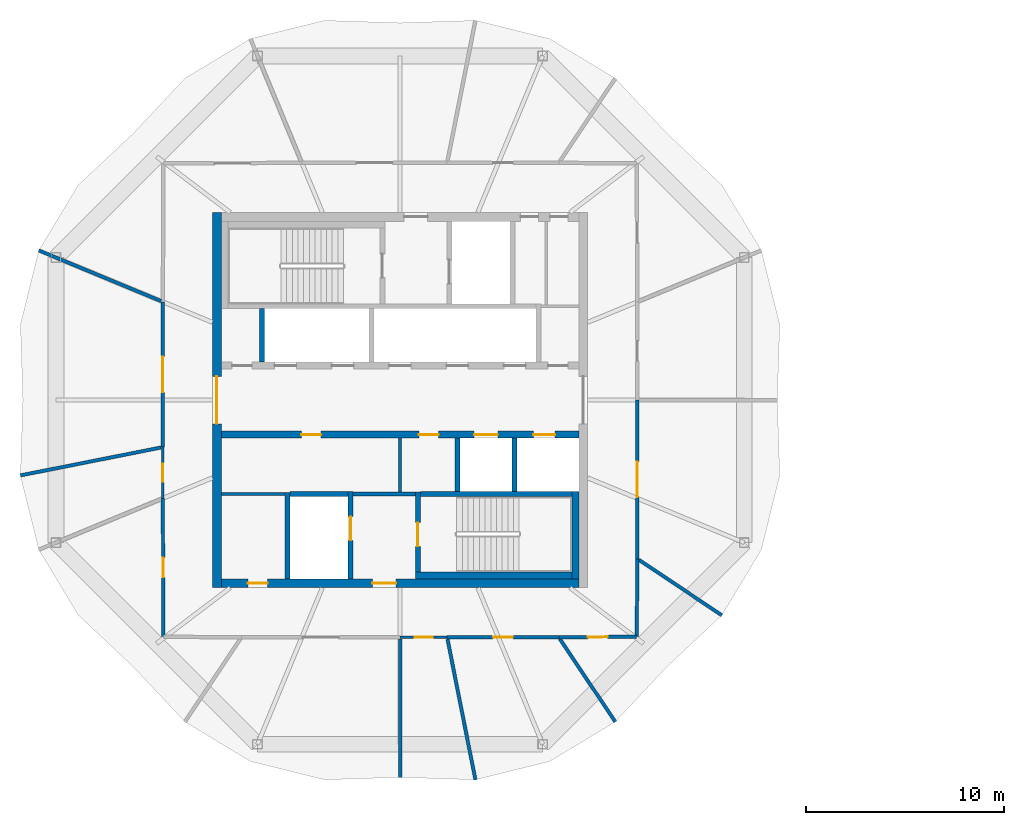
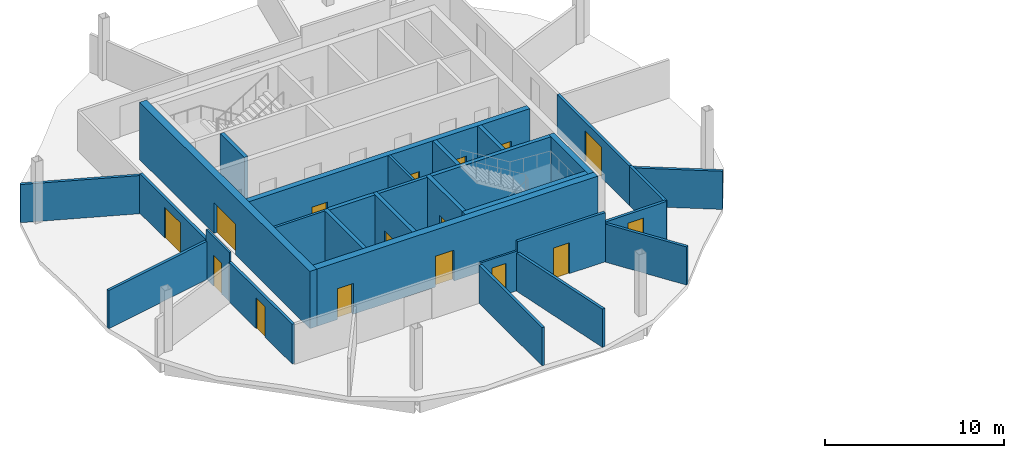
# One storey, part 5 of 10: 30 walls, 16 doors, 16 openings.
"""IFC4 building model written with IfcOpenShell, lengths in metres."""

from ifc_helpers import new_model, si_unit, direction, frame, frame_2d, origin, place, context, subcontext, project, spatial, rectangle, extrude, material, layer, layer_set, type_object, element, fill, save


model = new_model("IFC4")

# Units and contexts
model_context = context("Model", 3, precision=1e-05, world=origin(), true_north=direction((0.0, 1.0)))
body_context = subcontext(model_context, "Body", "Model", "MODEL_VIEW")
ifc_project = project(units=[si_unit("LENGTHUNIT", "METRE"), si_unit("AREAUNIT", "SQUARE_METRE"), si_unit("VOLUMEUNIT", "CUBIC_METRE"), si_unit("PLANEANGLEUNIT", "RADIAN"), si_unit("MASSUNIT", "GRAM", prefix="KILO")], contexts=[model_context])

# Site, building, storey
site_placement = place(None, origin())
site = spatial("IfcSite", under=ifc_project, at=site_placement, CompositionType="ELEMENT")
building_placement = place(site_placement, origin())
building = spatial("IfcBuilding", under=site, at=building_placement, Name="Ogive Gate Towers", CompositionType="ELEMENT")
storey_placement = place(building_placement, frame((0.0, 0.0, 260.39990234375)))
storey = spatial("IfcBuildingStorey", under=building, at=storey_placement, Name="L61", CompositionType="ELEMENT", Elevation=260.39990234375)

# Walls
ifc_material_1 = material(Name="Gypsum board acoustic partition")
ifc_layer_1 = layer(ifc_material_1, 0.175048828125)
ifc_layer_set_1 = layer_set([ifc_layer_1], Name="Acoustic partition 175")
wall_type_1 = type_object("IfcWallType", Name="Acoustic partition 175", PredefinedType="PARTITIONING", material=ifc_layer_set_1)
wall_1_placement = place(storey_placement, frame((-54.29296875, 7.5771484375, 0.0), z_axis=(0.0, 0.0, 1.0), x_axis=(0.923882053966, -0.382677344977, 0.0)))
element("IfcWall", 1, at=wall_1_placement, inside=storey, type_object=wall_type_1, Name="Partition T1-L61-006", PredefinedType="PARTITIONING", context=body_context, shape_type="SweptSolid", body=[
    extrude(rectangle(XDim=6.711669921875, YDim=0.175048828125, at=frame_2d((3.35595703125, 0.0))), origin(), (0.0, 0.0, 1.0), 2.60009765625),
])
wall_2_placement = place(storey_placement, frame((-55.224609375, -3.814697265625, 0.0), z_axis=(0.0, 0.0, 1.0), x_axis=(0.980875686276, 0.194635269344, 0.0)))
element("IfcWall", 2, at=wall_2_placement, inside=storey, type_object=wall_type_1, Name="Partition T1-L61-007", PredefinedType="PARTITIONING", context=body_context, shape_type="SweptSolid", body=[
    extrude(rectangle(XDim=7.261474609375, YDim=0.175048828125, at=frame_2d((3.630859375, 0.0))), origin(), (0.0, 0.0, 1.0), 2.60009765625),
])
wall_3_placement = place(storey_placement, frame((-36.0, -19.09912109375, 0.0), z_axis=(0.0, 0.0, 1.0), x_axis=(0.0, 1.0, 0.0)))
element("IfcWall", 3, at=wall_3_placement, inside=storey, type_object=wall_type_1, Name="Partition T1-L61-010", PredefinedType="PARTITIONING", context=body_context, shape_type="SweptSolid", body=[
    extrude(rectangle(XDim=7.011474609375, YDim=0.175048828125, at=frame_2d((3.505859375, 0.0))), origin(), (0.0, 0.0, 1.0), 2.60009765625),
])
wall_4_placement = place(storey_placement, frame((-32.185302734375, -19.224609375, 0.0), z_axis=(0.0, 0.0, 1.0), x_axis=(-0.194635269344, 0.980875686276, 0.0)))
element("IfcWall", 4, at=wall_4_placement, inside=storey, type_object=wall_type_1, Name="Partition T1-L61-011", PredefinedType="PARTITIONING", context=body_context, shape_type="SweptSolid", body=[
    extrude(rectangle(XDim=7.261474609375, YDim=0.175048828125, at=frame_2d((3.630859375, 0.0))), origin(), (0.0, 0.0, 1.0), 2.60009765625),
])
for number, where, z_axis, x_axis, name in (
    (5, (-25.103515625, -16.291259765625, 0.0), (0.0, 0.0, 1.0), (-0.555968529854, 0.831203340833, 0.0), "Partition T1-L61-012"),
    (6, (-19.708740234375, -10.896484375, 0.0), (0.0, 0.0, 1.0), (-0.831203340833, 0.555968529854, 0.0), "Partition T1-L61-013"),
):
    element("IfcWall", number, at=place(storey_placement, frame(where, z_axis=z_axis, x_axis=x_axis)), inside=storey, type_object=wall_type_1, Name=name, PredefinedType="PARTITIONING", context=body_context, shape_type="SweptSolid", body=[
        extrude(rectangle(XDim=5.061279296875, YDim=0.175048828125, at=frame_2d((2.53076171875, 0.0))), origin(), (0.0, 0.0, 1.0), 2.60009765625),
    ])

# Wall, opening, door
wall_5_placement = place(storey_placement, frame((-33.615478515625, -12.016357421875, 0.0), z_axis=(0.0, 0.0, 1.0), x_axis=(0.999999626489, 0.000864303912, 0.0)))
wall_5 = element("IfcWall", 7, at=wall_5_placement, inside=storey, type_object=wall_type_1, Name="Partition T1-L61-015", PredefinedType="PARTITIONING", context=body_context, shape_type="SweptSolid", body=[
    extrude(rectangle(XDim=5.6494140625, YDim=0.175048828125, at=frame_2d((2.82470703125, 0.0))), origin(), (0.0, 0.0, 1.0), 3.35009765625),
])
opening_1_placement = place(wall_5_placement, frame((2.324951171875, 0.0, 0.0)))
opening_1 = element("IfcOpeningElement", 8, at=opening_1_placement, cuts=wall_5, Name="Opening T1-L61-D02", PredefinedType="OPENING", context=body_context, shape_type="SweptSolid", body=[
    extrude(rectangle(XDim=1.0, YDim=2.10009765625, at=frame_2d((0.5, 1.050048828125))), frame((0.0, 0.09765625, 0.0), z_axis=(0.0, -1.0, 0.0), x_axis=(1.0, 0.0, 0.0)), (0.0, 0.0, 1.0), 0.195068359375),
])
ifc_material_2 = material(Name="Timber door", Category="wood")
door_type_1 = type_object("IfcDoorType", Name="Door 1000", OperationType="NOTDEFINED", PredefinedType="DOOR", material=ifc_material_2)
door_1_placement = place(opening_1_placement, origin())
door_1 = element("IfcDoor", 9, at=door_1_placement, inside=storey, type_object=door_type_1, Name="Door T1-L61-D02", OperationType="SINGLE_SWING_LEFT", OverallHeight=2.10009765625, OverallWidth=1.0, PredefinedType="DOOR", context=body_context, shape_type="SweptSolid", body=[
    extrude(rectangle(XDim=1.0, YDim=2.10009765625, at=frame_2d((0.5, 1.050048828125))), frame((0.0, 0.02490234375, 0.0), z_axis=(0.0, -1.0, 0.0), x_axis=(1.0, 0.0, 0.0)), (0.0, 0.0, 1.0), 0.050048828125),
])
fill(opening_1, door_1)

wall_6_placement = place(storey_placement, frame((-27.966064453125, -12.011474609375, 0.0), z_axis=(0.0, 0.0, 1.0), x_axis=(0.999968151812, 0.007980937424, 0.0)))
wall_6 = element("IfcWall", 10, at=wall_6_placement, inside=storey, type_object=wall_type_1, Name="Partition T1-L61-016", PredefinedType="PARTITIONING", context=body_context, shape_type="SweptSolid", body=[
    extrude(rectangle(XDim=3.9462890625, YDim=0.175048828125, at=frame_2d((1.97314453125, 0.0))), origin(), (0.0, 0.0, 1.0), 2.7001953125),
])
opening_2_placement = place(wall_6_placement, frame((1.472900390625, 0.0, 0.0)))
opening_2 = element("IfcOpeningElement", 11, at=opening_2_placement, cuts=wall_6, Name="Opening T1-L61-D03", PredefinedType="OPENING", context=body_context, shape_type="SweptSolid", body=[
    extrude(rectangle(XDim=1.0, YDim=2.10009765625, at=frame_2d((0.5, 1.050048828125))), frame((0.0, 0.09765625, 0.0), z_axis=(0.0, -1.0, 0.0), x_axis=(1.0, 0.0, 0.0)), (0.0, 0.0, 1.0), 0.195068359375),
])
door_2_placement = place(opening_2_placement, origin())
door_2 = element("IfcDoor", 12, at=door_2_placement, inside=storey, type_object=door_type_1, Name="Door T1-L61-D03", OperationType="SINGLE_SWING_RIGHT", OverallHeight=2.10009765625, OverallWidth=1.0, PredefinedType="DOOR", context=body_context, shape_type="SweptSolid", body=[
    extrude(rectangle(XDim=1.0, YDim=2.10009765625, at=frame_2d((0.5, 1.050048828125))), frame((0.0, 0.02490234375, 0.0), z_axis=(0.0, -1.0, 0.0), x_axis=(1.0, 0.0, 0.0)), (0.0, 0.0, 1.0), 0.050048828125),
])
fill(opening_2, door_2)

# Wall
wall_7_placement = place(storey_placement, frame((-24.02001953125, -11.97998046875, 0.0), z_axis=(0.0, 0.0, 1.0), x_axis=(0.007980937424, 0.999968151812, 0.0)))
element("IfcWall", 13, at=wall_7_placement, inside=storey, type_object=wall_type_1, Name="Partition T1-L61-017", PredefinedType="PARTITIONING", context=body_context, shape_type="SweptSolid", body=[
    extrude(rectangle(XDim=3.9462890625, YDim=0.175048828125, at=frame_2d((1.97314453125, 0.0))), origin(), (0.0, 0.0, 1.0), 2.7001953125),
])

# Wall, opening, door
wall_8_placement = place(storey_placement, frame((-23.988525390625, -8.033935546875, 0.0), z_axis=(0.0, 0.0, 1.0), x_axis=(-0.001428266085, 0.999998980027, 0.0)))
wall_8 = element("IfcWall", 14, at=wall_8_placement, inside=storey, type_object=wall_type_1, Name="Partition T1-L61-018", PredefinedType="PARTITIONING", context=body_context, shape_type="SweptSolid", body=[
    extrude(rectangle(XDim=8.033935546875, YDim=0.175048828125, at=frame_2d((4.01708984375, 0.0))), origin(), (0.0, 0.0, 1.0), 2.7001953125),
])
opening_3_placement = place(wall_8_placement, frame((3.116943359375, 0.0, 0.0)))
opening_3 = element("IfcOpeningElement", 15, at=opening_3_placement, cuts=wall_8, Name="Opening T1-L61-D04", PredefinedType="OPENING", context=body_context, shape_type="SweptSolid", body=[
    extrude(rectangle(XDim=1.800048828125, YDim=2.10009765625, at=frame_2d((0.89990234375, 1.050048828125))), frame((0.0, 0.09765625, 0.0), z_axis=(0.0, -1.0, 0.0), x_axis=(1.0, 0.0, 0.0)), (0.0, 0.0, 1.0), 0.195068359375),
])
door_type_2 = type_object("IfcDoorType", Name="Door pair 1800", OperationType="NOTDEFINED", PredefinedType="DOOR", material=ifc_material_2)
door_3_placement = place(opening_3_placement, origin())
door_3 = element("IfcDoor", 16, at=door_3_placement, inside=storey, type_object=door_type_2, Name="Door T1-L61-D04", OperationType="DOUBLE_DOOR_DOUBLE_SWING", OverallHeight=2.10009765625, OverallWidth=1.800048828125, PredefinedType="DOOR", context=body_context, shape_type="SweptSolid", body=[
    extrude(rectangle(XDim=1.800048828125, YDim=2.10009765625, at=frame_2d((0.89990234375, 1.050048828125))), frame((0.0, 0.02490234375, 0.0), z_axis=(0.0, -1.0, 0.0), x_axis=(1.0, 0.0, 0.0)), (0.0, 0.0, 1.0), 0.050048828125),
])
fill(opening_3, door_3)

wall_9_placement = place(storey_placement, frame((-48.011474609375, 4.975341796875, 0.0), z_axis=(0.0, 0.0, 1.0), x_axis=(-0.000663437789, -0.999999779925, 0.0)))
wall_9 = element("IfcWall", 17, at=wall_9_placement, inside=storey, type_object=wall_type_1, Name="Partition T1-L61-026", PredefinedType="PARTITIONING", context=body_context, shape_type="SweptSolid", body=[
    extrude(rectangle(XDim=7.35986328125, YDim=0.175048828125, at=frame_2d((3.679931640625, 0.0))), origin(), (0.0, 0.0, 1.0), 2.7001953125),
])
opening_4_placement = place(wall_9_placement, frame((2.780029296875, 0.0, 0.0)))
opening_4 = element("IfcOpeningElement", 18, at=opening_4_placement, cuts=wall_9, Name="Opening T1-L61-D10", PredefinedType="OPENING", context=body_context, shape_type="SweptSolid", body=[
    extrude(rectangle(XDim=1.800048828125, YDim=2.10009765625, at=frame_2d((0.89990234375, 1.050048828125))), frame((0.0, 0.09765625, 0.0), z_axis=(0.0, -1.0, 0.0), x_axis=(1.0, 0.0, 0.0)), (0.0, 0.0, 1.0), 0.195068359375),
])
door_4_placement = place(opening_4_placement, origin())
door_4 = element("IfcDoor", 19, at=door_4_placement, inside=storey, type_object=door_type_2, Name="Door T1-L61-D10", OperationType="DOUBLE_DOOR_DOUBLE_SWING", OverallHeight=2.10009765625, OverallWidth=1.800048828125, PredefinedType="DOOR", context=body_context, shape_type="SweptSolid", body=[
    extrude(rectangle(XDim=1.800048828125, YDim=2.10009765625, at=frame_2d((0.89990234375, 1.050048828125))), frame((0.0, 0.02490234375, 0.0), z_axis=(0.0, -1.0, 0.0), x_axis=(1.0, 0.0, 0.0)), (0.0, 0.0, 1.0), 0.050048828125),
])
fill(opening_4, door_4)

wall_10_placement = place(storey_placement, frame((-48.011474609375, -4.975341796875, 0.0), z_axis=(0.0, 0.0, 1.0), x_axis=(0.004496138026, -0.99998989232, 0.0)))
wall_10 = element("IfcWall", 20, at=wall_10_placement, inside=storey, type_object=wall_type_1, Name="Partition T1-L61-028", PredefinedType="PARTITIONING", context=body_context, shape_type="SweptSolid", body=[
    extrude(rectangle(XDim=7.004638671875, YDim=0.175048828125, at=frame_2d((3.50244140625, 0.0))), origin(), (0.0, 0.0, 1.0), 2.7001953125),
])
opening_5_placement = place(wall_10_placement, frame((3.001953125, 0.0, 0.0)))
opening_5 = element("IfcOpeningElement", 21, at=opening_5_placement, cuts=wall_10, Name="Opening T1-L61-D12", PredefinedType="OPENING", context=body_context, shape_type="SweptSolid", body=[
    extrude(rectangle(XDim=1.0, YDim=2.10009765625, at=frame_2d((0.5, 1.050048828125))), frame((0.0, 0.09765625, 0.0), z_axis=(0.0, -1.0, 0.0), x_axis=(1.0, 0.0, 0.0)), (0.0, 0.0, 1.0), 0.195068359375),
])
door_5_placement = place(opening_5_placement, origin())
door_5 = element("IfcDoor", 22, at=door_5_placement, inside=storey, type_object=door_type_1, Name="Door T1-L61-D12", OperationType="SINGLE_SWING_RIGHT", OverallHeight=2.10009765625, OverallWidth=1.0, PredefinedType="DOOR", context=body_context, shape_type="SweptSolid", body=[
    extrude(rectangle(XDim=1.0, YDim=2.10009765625, at=frame_2d((0.5, 1.050048828125))), frame((0.0, 0.02490234375, 0.0), z_axis=(0.0, -1.0, 0.0), x_axis=(1.0, 0.0, 0.0)), (0.0, 0.0, 1.0), 0.050048828125),
])
fill(opening_5, door_5)

# Wall
ifc_material_3 = material(Name="Masonry blockwork", Category="masonry")
ifc_layer_2 = layer(ifc_material_3, 0.199951171875)
ifc_layer_set_2 = layer_set([ifc_layer_2], Name="Blockwork wall 200 mm")
wall_type_2 = type_object("IfcWallType", Name="Blockwork wall 200 mm", PredefinedType="PARTITIONING", material=ifc_layer_set_2)
wall_11_placement = place(storey_placement, frame((-38.375, -4.75, 0.0), z_axis=(0.0, 0.0, 1.0), x_axis=(1.0, 0.0, 0.0)))
element("IfcWall", 23, at=wall_11_placement, inside=storey, type_object=wall_type_2, Name="T1 L61 Blockwork wall 200 mm", PredefinedType="PARTITIONING", context=body_context, shape_type="SweptSolid", body=[
    extrude(rectangle(XDim=3.14990234375, YDim=0.199951171875, at=frame_2d((1.574951171875, 0.0))), origin(), (0.0, 0.0, 1.0), 3.900146484375),
])

# Wall, openings, doors
ifc_material_4 = material(Name="Concrete C60/75", Category="concrete")
ifc_layer_3 = layer(ifc_material_4, 0.449951171875)
ifc_layer_set_3 = layer_set([ifc_layer_3], Name="Core wall 450 mm")
wall_type_3 = type_object("IfcWallType", Name="Core wall 450 mm", PredefinedType="SHEAR", material=ifc_layer_set_3)
wall_12_placement = place(storey_placement, frame((-45.050048828125, -9.27490234375, 0.0), z_axis=(0.0, 0.0, 1.0), x_axis=(1.0, 0.0, 0.0)))
wall_12 = element("IfcWall", 24, at=wall_12_placement, inside=storey, type_object=wall_type_3, Name="T1 L61 Core wall 450 mm", PredefinedType="SHEAR", context=body_context, shape_type="SweptSolid", body=[
    extrude(rectangle(XDim=18.10009765625, YDim=0.449951171875, at=frame_2d((9.050048828125, 0.0))), origin(), (0.0, 0.0, 1.0), 3.900146484375),
])
opening_6_placement = place(wall_12_placement, frame((7.64990234375, 0.0, 0.0)))
opening_6 = element("IfcOpeningElement", 25, at=opening_6_placement, cuts=wall_12, Name="Opening KD-T1-L61-19", PredefinedType="OPENING", context=body_context, shape_type="SweptSolid", body=[
    extrude(rectangle(XDim=1.199951171875, YDim=2.10009765625, at=frame_2d((0.60009765625, 1.050048828125))), frame((0.0, 0.23486328125, 0.0), z_axis=(0.0, -1.0, 0.0), x_axis=(1.0, 0.0, 0.0)), (0.0, 0.0, 1.0), 0.469970703125),
])
opening_7_placement = place(wall_12_placement, frame((1.35009765625, 0.0, 0.0)))
opening_7 = element("IfcOpeningElement", 26, at=opening_7_placement, cuts=wall_12, Name="Opening KD-T1-L61-22", PredefinedType="OPENING", context=body_context, shape_type="SweptSolid", body=[
    extrude(rectangle(XDim=1.0, YDim=2.10009765625, at=frame_2d((0.5, 1.050048828125))), frame((0.0, 0.23486328125, 0.0), z_axis=(0.0, -1.0, 0.0), x_axis=(1.0, 0.0, 0.0)), (0.0, 0.0, 1.0), 0.469970703125),
])
door_type_3 = type_object("IfcDoorType", Name="Accessible WC door 1000 x 2100", OperationType="NOTDEFINED", PredefinedType="DOOR", material=ifc_material_2)
door_6_placement = place(opening_7_placement, origin())
door_6 = element("IfcDoor", 27, at=door_6_placement, inside=storey, type_object=door_type_3, Name="T1 L61 Core door", OperationType="SINGLE_SWING_LEFT", OverallHeight=2.10009765625, OverallWidth=1.0, PredefinedType="DOOR", context=body_context, shape_type="SweptSolid", body=[
    extrude(rectangle(XDim=1.0, YDim=2.10009765625, at=frame_2d((0.5, 1.050048828125))), frame((0.0, 0.02490234375, 0.0), z_axis=(0.0, -1.0, 0.0), x_axis=(1.0, 0.0, 0.0)), (0.0, 0.0, 1.0), 0.050048828125),
])
fill(opening_7, door_6)
ifc_material_5 = material(Name="Steel fire door", Category="steel")
door_type_4 = type_object("IfcDoorType", Name="Core door FD60S 1200 x 2100", OperationType="NOTDEFINED", PredefinedType="DOOR", material=ifc_material_5)
door_7_placement = place(opening_6_placement, origin())
door_7 = element("IfcDoor", 28, at=door_7_placement, inside=storey, type_object=door_type_4, Name="T1 L61 Fire-fighting lobby door", OperationType="SINGLE_SWING_RIGHT", OverallHeight=2.10009765625, OverallWidth=1.199951171875, PredefinedType="DOOR", context=body_context, shape_type="SweptSolid", body=[
    extrude(rectangle(XDim=1.199951171875, YDim=2.10009765625, at=frame_2d((0.60009765625, 1.050048828125))), frame((0.0, 0.02490234375, 0.0), z_axis=(0.0, -1.0, 0.0), x_axis=(1.0, 0.0, 0.0)), (0.0, 0.0, 1.0), 0.050048828125),
])
fill(opening_6, door_7)

# Wall, opening, door
wall_13_placement = place(storey_placement, frame((-45.27490234375, -9.5, 0.0), z_axis=(0.0, 0.0, 1.0), x_axis=(0.0, 1.0, 0.0)))
wall_13 = element("IfcWall", 29, at=wall_13_placement, inside=storey, type_object=wall_type_3, Name="T1 L61 Core wall 450 mm", PredefinedType="SHEAR", context=body_context, shape_type="SweptSolid", body=[
    extrude(rectangle(XDim=19.0, YDim=0.449951171875, at=frame_2d((9.5, 0.0))), origin(), (0.0, 0.0, 1.0), 3.900146484375),
])
opening_8_placement = place(wall_13_placement, frame((8.300048828125, 0.0, 0.0)))
opening_8 = element("IfcOpeningElement", 30, at=opening_8_placement, cuts=wall_13, Name="Opening KD-T1-L61-01", PredefinedType="OPENING", context=body_context, shape_type="SweptSolid", body=[
    extrude(rectangle(XDim=2.39990234375, YDim=2.10009765625, at=frame_2d((1.199951171875, 1.050048828125))), frame((0.0, 0.23486328125, 0.0), z_axis=(0.0, -1.0, 0.0), x_axis=(1.0, 0.0, 0.0)), (0.0, 0.0, 1.0), 0.469970703125),
])
door_type_5 = type_object("IfcDoorType", Name="Core double door FD60S 2400 x 2100", OperationType="DOUBLE_DOOR_SINGLE_SWING", PredefinedType="DOOR", material=ifc_material_5)
door_8_placement = place(opening_8_placement, origin())
door_8 = element("IfcDoor", 31, at=door_8_placement, inside=storey, type_object=door_type_5, Name="T1 L61 Core door double", OperationType="DOUBLE_DOOR_SINGLE_SWING", OverallHeight=2.10009765625, OverallWidth=2.39990234375, PredefinedType="DOOR", context=body_context, shape_type="SweptSolid", body=[
    extrude(rectangle(XDim=2.39990234375, YDim=2.10009765625, at=frame_2d((1.199951171875, 1.050048828125))), frame((0.0, 0.02490234375, 0.0), z_axis=(0.0, -1.0, 0.0), x_axis=(1.0, 0.0, 0.0)), (0.0, 0.0, 1.0), 0.050048828125),
])
fill(opening_8, door_8)

ifc_material_6 = material(Name="Gypsum board partition")
ifc_layer_4 = layer(ifc_material_6, 0.125)
ifc_layer_set_4 = layer_set([ifc_layer_4], Name="Partition 125")
wall_type_4 = type_object("IfcWallType", Name="Partition 125", PredefinedType="PARTITIONING", material=ifc_layer_set_4)
wall_14_placement = place(storey_placement, frame((-36.0, -12.0, 0.0), z_axis=(0.0, 0.0, 1.0), x_axis=(0.999976472168, -0.006859672738, 0.0)))
wall_14 = element("IfcWall", 32, at=wall_14_placement, inside=storey, type_object=wall_type_4, Name="Partition T1-L61-014", PredefinedType="PARTITIONING", context=body_context, shape_type="SweptSolid", body=[
    extrude(rectangle(XDim=2.384521484375, YDim=0.125, at=frame_2d((1.1923828125, 0.0))), origin(), (0.0, 0.0, 1.0), 2.7001953125),
])
opening_9_placement = place(wall_14_placement, frame((0.741943359375, 0.0, 0.0)))
opening_9 = element("IfcOpeningElement", 33, at=opening_9_placement, cuts=wall_14, Name="Opening T1-L61-D01", PredefinedType="OPENING", context=body_context, shape_type="SweptSolid", body=[
    extrude(rectangle(XDim=0.89990234375, YDim=2.10009765625, at=frame_2d((0.449951171875, 1.050048828125))), frame((0.0, 0.072509765625, 0.0), z_axis=(0.0, -1.0, 0.0), x_axis=(1.0, 0.0, 0.0)), (0.0, 0.0, 1.0), 0.14501953125),
])
door_type_6 = type_object("IfcDoorType", Name="Door 900", OperationType="NOTDEFINED", PredefinedType="DOOR", material=ifc_material_2)
door_9_placement = place(opening_9_placement, origin())
door_9 = element("IfcDoor", 34, at=door_9_placement, inside=storey, type_object=door_type_6, Name="Door T1-L61-D01", OperationType="SINGLE_SWING_LEFT", OverallHeight=2.10009765625, OverallWidth=0.89990234375, PredefinedType="DOOR", context=body_context, shape_type="SweptSolid", body=[
    extrude(rectangle(XDim=0.89990234375, YDim=2.10009765625, at=frame_2d((0.449951171875, 1.050048828125))), frame((0.0, 0.02490234375, 0.0), z_axis=(0.0, -1.0, 0.0), x_axis=(1.0, 0.0, 0.0)), (0.0, 0.0, 1.0), 0.050048828125),
])
fill(opening_9, door_9)

wall_15_placement = place(storey_placement, frame((-48.016357421875, -2.384521484375, 0.0), z_axis=(0.0, 0.0, 1.0), x_axis=(0.00188465553, -0.999998224035, 0.0)))
wall_15 = element("IfcWall", 35, at=wall_15_placement, inside=storey, type_object=wall_type_4, Name="Partition T1-L61-027", PredefinedType="PARTITIONING", context=body_context, shape_type="SweptSolid", body=[
    extrude(rectangle(XDim=2.5908203125, YDim=0.125, at=frame_2d((1.29541015625, 0.0))), origin(), (0.0, 0.0, 1.0), 3.35009765625),
])
opening_10_placement = place(wall_15_placement, frame((0.844970703125, 0.0, 0.0)))
opening_10 = element("IfcOpeningElement", 36, at=opening_10_placement, cuts=wall_15, Name="Opening T1-L61-D11", PredefinedType="OPENING", context=body_context, shape_type="SweptSolid", body=[
    extrude(rectangle(XDim=0.89990234375, YDim=2.10009765625, at=frame_2d((0.449951171875, 1.050048828125))), frame((0.0, 0.072509765625, 0.0), z_axis=(0.0, -1.0, 0.0), x_axis=(1.0, 0.0, 0.0)), (0.0, 0.0, 1.0), 0.14501953125),
])
door_10_placement = place(opening_10_placement, origin())
door_10 = element("IfcDoor", 37, at=door_10_placement, inside=storey, type_object=door_type_6, Name="Door T1-L61-D11", OperationType="SINGLE_SWING_LEFT", OverallHeight=2.10009765625, OverallWidth=0.89990234375, PredefinedType="DOOR", context=body_context, shape_type="SweptSolid", body=[
    extrude(rectangle(XDim=0.89990234375, YDim=2.10009765625, at=frame_2d((0.449951171875, 1.050048828125))), frame((0.0, 0.02490234375, 0.0), z_axis=(0.0, -1.0, 0.0), x_axis=(1.0, 0.0, 0.0)), (0.0, 0.0, 1.0), 0.050048828125),
])
fill(opening_10, door_10)

# Walls
ifc_layer_5 = layer(ifc_material_6, 0.14990234375)
ifc_layer_set_5 = layer_set([ifc_layer_5], Name="Room partition 150 mm")
wall_type_5 = type_object("IfcWallType", Name="Room partition 150 mm", PredefinedType="PARTITIONING", material=ifc_layer_set_5)
wall_16_placement = place(storey_placement, frame((-45.050048828125, -4.75, 0.0), z_axis=(0.0, 0.0, 1.0), x_axis=(1.0, 0.0, 0.0)))
element("IfcWall", 38, at=wall_16_placement, inside=storey, type_object=wall_type_5, Name="T1 L61 Room partition 150 mm", PredefinedType="PARTITIONING", context=body_context, shape_type="SweptSolid", body=[
    extrude(rectangle(XDim=3.22509765625, YDim=0.14990234375, at=frame_2d((1.612548828125, 0.0))), origin(), (0.0, 0.0, 1.0), 3.900146484375),
])
wall_17_placement = place(storey_placement, frame((-36.0, -4.64990234375, 0.0), z_axis=(0.0, 0.0, 1.0), x_axis=(0.0, 1.0, 0.0)))
element("IfcWall", 39, at=wall_17_placement, inside=storey, type_object=wall_type_5, Name="T1 L61 Room partition 150 mm", PredefinedType="PARTITIONING", context=body_context, shape_type="SweptSolid", body=[
    extrude(rectangle(XDim=2.724853515625, YDim=0.14990234375, at=frame_2d((1.3623046875, 0.0))), origin(), (0.0, 0.0, 1.0), 3.900146484375),
])
ifc_layer_6 = layer(ifc_material_4, 0.25)
ifc_layer_set_6 = layer_set([ifc_layer_6], Name="Shaft wall 250 mm")
wall_type_6 = type_object("IfcWallType", Name="Shaft wall 250 mm", PredefinedType="SHEAR", material=ifc_layer_set_6)
wall_18_placement = place(storey_placement, frame((-41.574951171875, -4.75, 0.0), z_axis=(0.0, 0.0, 1.0), x_axis=(1.0, 0.0, 0.0)))
element("IfcWall", 40, at=wall_18_placement, inside=storey, type_object=wall_type_6, Name="T1 L61 Shaft wall 250 mm", PredefinedType="SHEAR", context=body_context, shape_type="SweptSolid", body=[
    extrude(rectangle(XDim=2.949951171875, YDim=0.25, at=frame_2d((1.47509765625, 0.0))), origin(), (0.0, 0.0, 1.0), 3.900146484375),
])
wall_19_placement = place(storey_placement, frame((-34.97509765625, -4.75, 0.0), z_axis=(0.0, 0.0, 1.0), x_axis=(1.0, 0.0, 0.0)))
element("IfcWall", 41, at=wall_19_placement, inside=storey, type_object=wall_type_6, Name="T1 L61 Shaft wall 250 mm", PredefinedType="SHEAR", context=body_context, shape_type="SweptSolid", body=[
    extrude(rectangle(XDim=7.675048828125, YDim=0.25, at=frame_2d((3.83740234375, 0.0))), origin(), (0.0, 0.0, 1.0), 3.900146484375),
])
wall_20_placement = place(storey_placement, frame((-43.0, 1.925048828125, 0.0), z_axis=(0.0, 0.0, 1.0), x_axis=(0.0, 1.0, 0.0)))
element("IfcWall", 42, at=wall_20_placement, inside=storey, type_object=wall_type_6, Name="T1 L61 Shaft wall 250 mm", PredefinedType="SHEAR", context=body_context, shape_type="SweptSolid", body=[
    extrude(rectangle(XDim=2.699951171875, YDim=0.25, at=frame_2d((1.35009765625, 0.0))), origin(), (0.0, 0.0, 1.0), 3.900146484375),
])
wall_21_placement = place(storey_placement, frame((-41.699951171875, -9.050048828125, 0.0), z_axis=(0.0, 0.0, 1.0), x_axis=(0.0, 1.0, 0.0)))
element("IfcWall", 43, at=wall_21_placement, inside=storey, type_object=wall_type_6, Name="T1 L61 Shaft wall 250 mm", PredefinedType="SHEAR", context=body_context, shape_type="SweptSolid", body=[
    extrude(rectangle(XDim=4.375, YDim=0.25, at=frame_2d((2.1875, 0.0))), origin(), (0.0, 0.0, 1.0), 3.900146484375),
])

# Wall, opening, door
wall_22_placement = place(storey_placement, frame((-38.5, -9.050048828125, 0.0), z_axis=(0.0, 0.0, 1.0), x_axis=(0.0, 1.0, 0.0)))
wall_22 = element("IfcWall", 44, at=wall_22_placement, inside=storey, type_object=wall_type_6, Name="T1 L61 Shaft wall 250 mm", PredefinedType="SHEAR", context=body_context, shape_type="SweptSolid", body=[
    extrude(rectangle(XDim=4.425048828125, YDim=0.25, at=frame_2d((2.21240234375, 0.0))), origin(), (0.0, 0.0, 1.0), 3.900146484375),
])
opening_11_placement = place(wall_22_placement, frame((1.949951171875, 0.0, 0.0)))
opening_11 = element("IfcOpeningElement", 45, at=opening_11_placement, cuts=wall_22, Name="Opening LD-T1-L61-13", PredefinedType="OPENING", context=body_context, shape_type="SweptSolid", body=[
    extrude(rectangle(XDim=1.199951171875, YDim=2.10009765625, at=frame_2d((0.60009765625, 1.050048828125))), frame((0.0, 0.135009765625, 0.0), z_axis=(0.0, -1.0, 0.0), x_axis=(1.0, 0.0, 0.0)), (0.0, 0.0, 1.0), 0.27001953125),
])
ifc_material_7 = material(Name="Stainless steel landing door", Category="steel")
door_type_7 = type_object("IfcDoorType", Name="Landing door 1200 x 2100", OperationType="SLIDING_TO_LEFT", PredefinedType="DOOR", material=ifc_material_7)
door_11_placement = place(opening_11_placement, origin())
door_11 = element("IfcDoor", 46, at=door_11_placement, inside=storey, type_object=door_type_7, Name="T1 L61 Lift landing door FF2", OperationType="SLIDING_TO_LEFT", OverallHeight=2.10009765625, OverallWidth=1.199951171875, PredefinedType="DOOR", context=body_context, shape_type="SweptSolid", body=[
    extrude(rectangle(XDim=1.199951171875, YDim=2.10009765625, at=frame_2d((0.60009765625, 1.050048828125))), frame((0.0, 0.02490234375, 0.0), z_axis=(0.0, -1.0, 0.0), x_axis=(1.0, 0.0, 0.0)), (0.0, 0.0, 1.0), 0.050048828125),
])
fill(opening_11, door_11)

wall_23_placement = place(storey_placement, frame((-35.10009765625, -8.699951171875, 0.0), z_axis=(0.0, 0.0, 1.0), x_axis=(0.0, 1.0, 0.0)))
wall_23 = element("IfcWall", 47, at=wall_23_placement, inside=storey, type_object=wall_type_6, Name="T1 L61 Shaft wall 250 mm", PredefinedType="SHEAR", context=body_context, shape_type="SweptSolid", body=[
    extrude(rectangle(XDim=4.050048828125, YDim=0.25, at=frame_2d((2.02490234375, 0.0))), origin(), (0.0, 0.0, 1.0), 3.900146484375),
])
opening_12_placement = place(wall_23_placement, frame((1.300048828125, 0.0, 0.0)))
opening_12 = element("IfcOpeningElement", 48, at=opening_12_placement, cuts=wall_23, Name="Opening KD-T1-L61-17", PredefinedType="OPENING", context=body_context, shape_type="SweptSolid", body=[
    extrude(rectangle(XDim=1.199951171875, YDim=2.10009765625, at=frame_2d((0.60009765625, 1.050048828125))), frame((0.0, 0.135009765625, 0.0), z_axis=(0.0, -1.0, 0.0), x_axis=(1.0, 0.0, 0.0)), (0.0, 0.0, 1.0), 0.27001953125),
])
door_12_placement = place(opening_12_placement, origin())
door_12 = element("IfcDoor", 49, at=door_12_placement, inside=storey, type_object=door_type_4, Name="T1 L61 Stair door", OperationType="SINGLE_SWING_RIGHT", OverallHeight=2.10009765625, OverallWidth=1.199951171875, PredefinedType="DOOR", context=body_context, shape_type="SweptSolid", body=[
    extrude(rectangle(XDim=1.199951171875, YDim=2.10009765625, at=frame_2d((0.60009765625, 1.050048828125))), frame((0.0, 0.02490234375, 0.0), z_axis=(0.0, -1.0, 0.0), x_axis=(1.0, 0.0, 0.0)), (0.0, 0.0, 1.0), 0.050048828125),
])
fill(opening_12, door_12)

# Walls
for number, where, z_axis, x_axis, name in (
    (50, (-33.10009765625, -4.625, 0.0), (0.0, 0.0, 1.0), (0.0, 1.0, 0.0), "T1 L61 Shaft wall 250 mm"),
    (51, (-30.199951171875, -4.625, 0.0), (0.0, 0.0, 1.0), (0.0, 1.0, 0.0), "T1 L61 Shaft wall 250 mm"),
):
    element("IfcWall", number, at=place(storey_placement, frame(where, z_axis=z_axis, x_axis=x_axis)), inside=storey, type_object=wall_type_6, Name=name, PredefinedType="SHEAR", context=body_context, shape_type="SweptSolid", body=[
        extrude(rectangle(XDim=2.699951171875, YDim=0.25, at=frame_2d((1.35009765625, 0.0))), origin(), (0.0, 0.0, 1.0), 3.900146484375),
    ])

# Wall, openings, doors
ifc_layer_7 = layer(ifc_material_4, 0.35009765625)
ifc_layer_set_7 = layer_set([ifc_layer_7], Name="Spine wall 350 mm")
wall_type_7 = type_object("IfcWallType", Name="Spine wall 350 mm", PredefinedType="SHEAR", material=ifc_layer_set_7)
wall_24_placement = place(storey_placement, frame((-45.050048828125, -1.75, 0.0), z_axis=(0.0, 0.0, 1.0), x_axis=(1.0, 0.0, 0.0)))
wall_24 = element("IfcWall", 52, at=wall_24_placement, inside=storey, type_object=wall_type_7, Name="T1 L61 Spine wall 350 mm", PredefinedType="SHEAR", context=body_context, shape_type="SweptSolid", body=[
    extrude(rectangle(XDim=18.10009765625, YDim=0.35009765625, at=frame_2d((9.050048828125, 0.0))), origin(), (0.0, 0.0, 1.0), 3.900146484375),
])
opening_13_placement = place(wall_24_placement, frame((12.800048828125, 0.0, 0.0)))
opening_13 = element("IfcOpeningElement", 53, at=opening_13_placement, cuts=wall_24, Name="Opening LD-T1-L61-10", PredefinedType="OPENING", context=body_context, shape_type="SweptSolid", body=[
    extrude(rectangle(XDim=1.199951171875, YDim=2.10009765625, at=frame_2d((0.60009765625, 1.050048828125))), frame((0.0, 0.18505859375, 0.0), z_axis=(0.0, -1.0, 0.0), x_axis=(1.0, 0.0, 0.0)), (0.0, 0.0, 1.0), 0.3701171875),
])
opening_14_placement = place(wall_24_placement, frame((15.800048828125, 0.0, 0.0)))
opening_14 = element("IfcOpeningElement", 54, at=opening_14_placement, cuts=wall_24, Name="Opening LD-T1-L61-11", PredefinedType="OPENING", context=body_context, shape_type="SweptSolid", body=[
    extrude(rectangle(XDim=1.10009765625, YDim=2.10009765625, at=frame_2d((0.550048828125, 1.050048828125))), frame((0.0, 0.18505859375, 0.0), z_axis=(0.0, -1.0, 0.0), x_axis=(1.0, 0.0, 0.0)), (0.0, 0.0, 1.0), 0.3701171875),
])
opening_15_placement = place(wall_24_placement, frame((4.050048828125, 0.0, 0.0)))
opening_15 = element("IfcOpeningElement", 55, at=opening_15_placement, cuts=wall_24, Name="Opening KD-T1-L61-14", PredefinedType="OPENING", context=body_context, shape_type="SweptSolid", body=[
    extrude(rectangle(XDim=1.0, YDim=2.10009765625, at=frame_2d((0.5, 1.050048828125))), frame((0.0, 0.18505859375, 0.0), z_axis=(0.0, -1.0, 0.0), x_axis=(1.0, 0.0, 0.0)), (0.0, 0.0, 1.0), 0.3701171875),
])
opening_16_placement = place(wall_24_placement, frame((10.0, 0.0, 0.0)))
opening_16 = element("IfcOpeningElement", 56, at=opening_16_placement, cuts=wall_24, Name="Opening KD-T1-L61-15", PredefinedType="OPENING", context=body_context, shape_type="SweptSolid", body=[
    extrude(rectangle(XDim=1.0, YDim=2.10009765625, at=frame_2d((0.5, 1.050048828125))), frame((0.0, 0.18505859375, 0.0), z_axis=(0.0, -1.0, 0.0), x_axis=(1.0, 0.0, 0.0)), (0.0, 0.0, 1.0), 0.3701171875),
])
door_type_8 = type_object("IfcDoorType", Name="Core door FD60S 1000 x 2100", OperationType="NOTDEFINED", PredefinedType="DOOR", material=ifc_material_5)
door_13_placement = place(opening_15_placement, origin())
door_13 = element("IfcDoor", 57, at=door_13_placement, inside=storey, type_object=door_type_8, Name="T1 L61 Core door", OperationType="SINGLE_SWING_LEFT", OverallHeight=2.10009765625, OverallWidth=1.0, PredefinedType="DOOR", context=body_context, shape_type="SweptSolid", body=[
    extrude(rectangle(XDim=1.0, YDim=2.10009765625, at=frame_2d((0.5, 1.050048828125))), frame((0.0, 0.02490234375, 0.0), z_axis=(0.0, -1.0, 0.0), x_axis=(1.0, 0.0, 0.0)), (0.0, 0.0, 1.0), 0.050048828125),
])
fill(opening_15, door_13)
door_14_placement = place(opening_16_placement, origin())
door_14 = element("IfcDoor", 58, at=door_14_placement, inside=storey, type_object=door_type_8, Name="T1 L61 Core door", OperationType="SINGLE_SWING_RIGHT", OverallHeight=2.10009765625, OverallWidth=1.0, PredefinedType="DOOR", context=body_context, shape_type="SweptSolid", body=[
    extrude(rectangle(XDim=1.0, YDim=2.10009765625, at=frame_2d((0.5, 1.050048828125))), frame((0.0, 0.02490234375, 0.0), z_axis=(0.0, -1.0, 0.0), x_axis=(1.0, 0.0, 0.0)), (0.0, 0.0, 1.0), 0.050048828125),
])
fill(opening_16, door_14)
door_type_9 = type_object("IfcDoorType", Name="Landing door 1100 x 2100", OperationType="SLIDING_TO_LEFT", PredefinedType="DOOR", material=ifc_material_7)
door_15_placement = place(opening_14_placement, origin())
door_15 = element("IfcDoor", 59, at=door_15_placement, inside=storey, type_object=door_type_9, Name="T1 L61 Lift landing door B6", OperationType="SLIDING_TO_LEFT", OverallHeight=2.10009765625, OverallWidth=1.10009765625, PredefinedType="DOOR", context=body_context, shape_type="SweptSolid", body=[
    extrude(rectangle(XDim=1.10009765625, YDim=2.10009765625, at=frame_2d((0.550048828125, 1.050048828125))), frame((0.0, 0.02490234375, 0.0), z_axis=(0.0, -1.0, 0.0), x_axis=(1.0, 0.0, 0.0)), (0.0, 0.0, 1.0), 0.050048828125),
])
fill(opening_14, door_15)
door_16_placement = place(opening_13_placement, origin())
door_16 = element("IfcDoor", 60, at=door_16_placement, inside=storey, type_object=door_type_7, Name="T1 L61 Lift landing door SVC", OperationType="SLIDING_TO_LEFT", OverallHeight=2.10009765625, OverallWidth=1.199951171875, PredefinedType="DOOR", context=body_context, shape_type="SweptSolid", body=[
    extrude(rectangle(XDim=1.199951171875, YDim=2.10009765625, at=frame_2d((0.60009765625, 1.050048828125))), frame((0.0, 0.02490234375, 0.0), z_axis=(0.0, -1.0, 0.0), x_axis=(1.0, 0.0, 0.0)), (0.0, 0.0, 1.0), 0.050048828125),
])
fill(opening_13, door_16)

# Walls
ifc_layer_8 = layer(ifc_material_4, 0.35009765625)
ifc_layer_set_8 = layer_set([ifc_layer_8], Name="Stair wall 350 mm")
wall_type_8 = type_object("IfcWallType", Name="Stair wall 350 mm", PredefinedType="SHEAR", material=ifc_layer_set_8)
wall_25_placement = place(storey_placement, frame((-35.22509765625, -8.875, 0.0), z_axis=(0.0, 0.0, 1.0), x_axis=(1.0, 0.0, 0.0)))
element("IfcWall", 61, at=wall_25_placement, inside=storey, type_object=wall_type_8, Name="T1 L61 Stair wall 350 mm", PredefinedType="SHEAR", context=body_context, shape_type="SweptSolid", body=[
    extrude(rectangle(XDim=7.925048828125, YDim=0.35009765625, at=frame_2d((3.96240234375, 0.0))), origin(), (0.0, 0.0, 1.0), 3.900146484375),
])
wall_26_placement = place(storey_placement, frame((-27.125, -9.050048828125, 0.0), z_axis=(0.0, 0.0, 1.0), x_axis=(0.0, 1.0, 0.0)))
element("IfcWall", 62, at=wall_26_placement, inside=storey, type_object=wall_type_8, Name="T1 L61 Stair wall 350 mm", PredefinedType="SHEAR", context=body_context, shape_type="SweptSolid", body=[
    extrude(rectangle(XDim=4.425048828125, YDim=0.35009765625, at=frame_2d((2.21240234375, 0.0))), origin(), (0.0, 0.0, 1.0), 3.900146484375),
])

save(model, "model.ifc")
